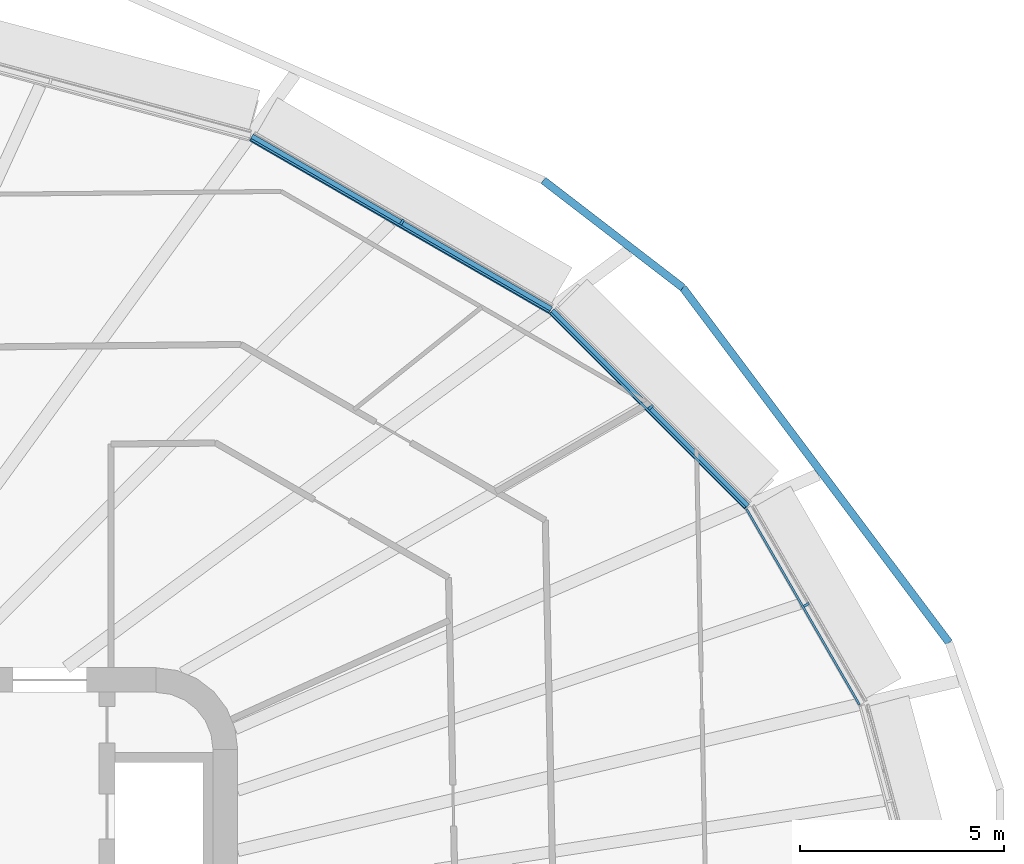
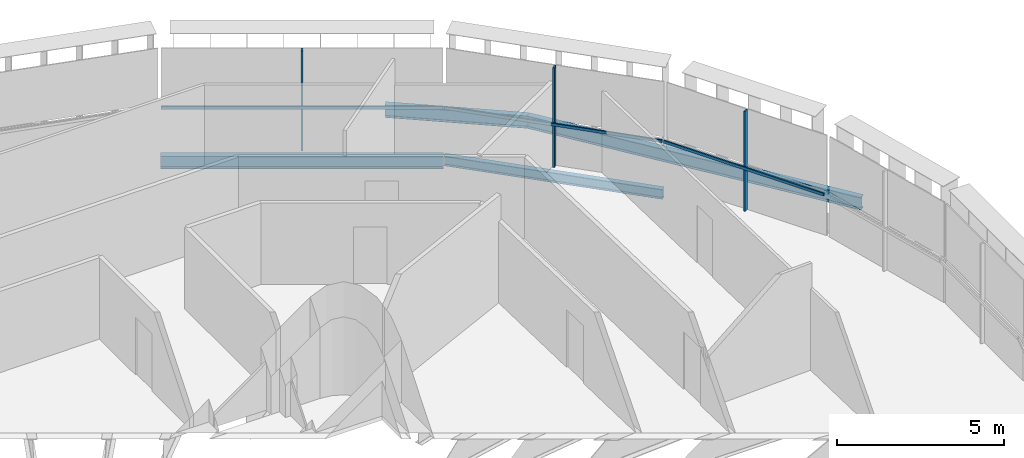
# One storey, part 10 of 26: 6 members, 4 beams, 3 elements without a shape of their own.
"""IFC4 building model written with IfcOpenShell, lengths in metres."""

from ifc_helpers import new_model, si_unit, direction, frame, origin, origin_2d, place, context, subcontext, project, spatial, rectangle, i_section, extrude, material, layer, layer_set, material_profile, profile_set, type_object, element, aggregate, save


model = new_model("IFC4")

# Units and contexts
model_context = context("Model", 3, precision=1e-05, world=origin(), true_north=direction((0.0, 1.0)))
body_context = subcontext(model_context, "Body", "Model", "MODEL_VIEW")
ifc_project = project(units=[si_unit("LENGTHUNIT", "METRE"), si_unit("AREAUNIT", "SQUARE_METRE"), si_unit("VOLUMEUNIT", "CUBIC_METRE"), si_unit("PLANEANGLEUNIT", "RADIAN"), si_unit("MASSUNIT", "GRAM", prefix="KILO")], contexts=[model_context])

# Site, building, storey
site_placement = place(None, origin())
site = spatial("IfcSite", under=ifc_project, at=site_placement, CompositionType="ELEMENT")
building_placement = place(site_placement, origin())
building = spatial("IfcBuilding", under=site, at=building_placement, Name="Sahrelin Media Tower", CompositionType="ELEMENT")
storey_placement = place(building_placement, frame((0.0, 0.0, 92.39990234375)))
storey = spatial("IfcBuildingStorey", under=building, at=storey_placement, Name="L17", CompositionType="ELEMENT", Elevation=92.39990234375)

# Beams
ifc_material_1 = material(Name="Steel S355", Category="steel")
ifc_material_profile_1 = material_profile(ifc_material_1, i_section(OverallWidth=0.17138671875, OverallDepth=0.35498046875, WebThickness=0.00732421875, FlangeThickness=0.011474609375, FilletRadius=0.01025390625, at=origin_2d()), Name="UB 356x171x51")
ifc_profile_set_1 = profile_set([ifc_material_profile_1], Name="Steel S355")
beam_type_1 = type_object("IfcBeamType", Name="Edge beam EB3", PredefinedType="BEAM", material=ifc_profile_set_1)
beam_1_placement = place(storey_placement, frame((22.689697265625, 16.739013671875, -0.327392578125), z_axis=(0.707106781187, -0.707106781187, 0.0), x_axis=(0.707106781187, 0.707106781187, 0.0)))
element("IfcBeam", 1, at=beam_1_placement, inside=storey, type_object=beam_type_1, Name="Edge beam L17-22", PredefinedType="BEAM", context=body_context, shape_type="SweptSolid", body=[
    extrude(i_section(OverallWidth=0.17138671875, OverallDepth=0.35498046875, WebThickness=0.00732421875, FlangeThickness=0.011474609375, FilletRadius=0.01025390625, at=origin_2d()), origin(), (0.0, 0.0, 1.0), 6.7783203125),
])
ifc_material_profile_2 = material_profile(ifc_material_1, i_section(OverallWidth=0.1904296875, OverallDepth=0.45703125, WebThickness=0.009033203125, FlangeThickness=0.014404296875, FilletRadius=0.01025390625, at=origin_2d()), Name="UB 457x191x74")
ifc_profile_set_2 = profile_set([ifc_material_profile_2], Name="Steel S355")
beam_type_2 = type_object("IfcBeamType", Name="Edge beam EB5", PredefinedType="BEAM", material=ifc_profile_set_2)
beam_2_placement = place(storey_placement, frame((15.3330078125, 20.99072265625, -0.37841796875), z_axis=(0.866025712585, -0.499999465141, 0.0), x_axis=(0.499999465141, 0.866025712585, 0.0)))
element("IfcBeam", 2, at=beam_2_placement, inside=storey, type_object=beam_type_2, Name="Edge beam L17-21", PredefinedType="BEAM", context=body_context, shape_type="SweptSolid", body=[
    extrude(i_section(OverallWidth=0.1904296875, OverallDepth=0.45703125, WebThickness=0.009033203125, FlangeThickness=0.014404296875, FilletRadius=0.01025390625, at=origin_2d()), origin(), (0.0, 0.0, 1.0), 8.46826171875),
])

# Curtain wall, member
ifc_material_2 = material(Name="Champagne anodised aluminium 6063-T6", Category="aluminium")
ifc_layer = layer(ifc_material_2, 0.14990234375)
ifc_layer_set = layer_set([ifc_layer], Name="Tower ribbon curtain wall")
curtain_wall_type = type_object("IfcCurtainWallType", Name="Tower ribbon curtain wall", PredefinedType="NOTDEFINED", material=ifc_layer_set)
curtain_wall_1_placement = place(storey_placement, frame((29.021484375, 9.58837890625, 0.0), z_axis=(0.0, 0.0, 1.0), x_axis=(1.0, 0.0, 0.0)))
curtain_wall_1 = element("IfcCurtainWall", 3, at=curtain_wall_1_placement, inside=storey, type_object=curtain_wall_type, Name="L17:CW:L17-02", PredefinedType="NOTDEFINED")
ifc_material_profile_3 = material_profile(ifc_material_2, rectangle(XDim=0.06005859375, YDim=0.14990234375, at=origin_2d()), Name="Mullion 60x150")
ifc_profile_set_3 = profile_set([ifc_material_profile_3], Name="Champagne anodised aluminium 6063-T6")
member_type_1 = type_object("IfcMemberType", Name="Mullion 60x150 CW1", PredefinedType="MULLION", material=ifc_profile_set_3)
member_1_placement = place(storey_placement, frame((28.939208984375, 9.540771484375, 0.0), z_axis=(0.0, 0.0, 1.0), x_axis=(-0.499990930976, 0.866030639725, 0.0)))
member_1 = element("IfcMember", 4, at=member_1_placement, type_object=member_type_1, Name="L17:CWM:L17-02", PredefinedType="MULLION", context=body_context, shape_type="SweptSolid", body=[
    extrude(rectangle(XDim=0.06005859375, YDim=0.14990234375, at=origin_2d()), origin(), (0.0, 0.0, 1.0), 3.648681640625),
])

curtain_wall_2_placement = place(storey_placement, frame((25.192138671875, 14.44873046875, 0.0), z_axis=(0.0, 0.0, 1.0), x_axis=(1.0, 0.0, 0.0)))
curtain_wall_2 = element("IfcCurtainWall", 5, at=curtain_wall_2_placement, inside=storey, type_object=curtain_wall_type, Name="L17:CW:L17-03", PredefinedType="NOTDEFINED")
member_2_placement = place(storey_placement, frame((25.125, 14.381591796875, 0.0), z_axis=(0.0, 0.0, 1.0), x_axis=(-0.707114185953, 0.707099376343, 0.0)))
member_2 = element("IfcMember", 6, at=member_2_placement, type_object=member_type_1, Name="L17:CWM:L17-03", PredefinedType="MULLION", context=body_context, shape_type="SweptSolid", body=[
    extrude(rectangle(XDim=0.06005859375, YDim=0.14990234375, at=origin_2d()), origin(), (0.0, 0.0, 1.0), 3.648681640625),
])

curtain_wall_3_placement = place(storey_placement, frame((19.074951171875, 19.003662109375, 0.0), z_axis=(0.0, 0.0, 1.0), x_axis=(1.0, 0.0, 0.0)))
curtain_wall_3 = element("IfcCurtainWall", 7, at=curtain_wall_3_placement, inside=storey, type_object=curtain_wall_type, Name="L17:CW:L17-04", PredefinedType="NOTDEFINED")
member_3_placement = place(storey_placement, frame((19.02734375, 18.92138671875, 0.0), z_axis=(0.0, 0.0, 1.0), x_axis=(-0.866022785779, 0.500004534492, 0.0)))
member_3 = element("IfcMember", 8, at=member_3_placement, type_object=member_type_1, Name="L17:CWM:L17-04", PredefinedType="MULLION", context=body_context, shape_type="SweptSolid", body=[
    extrude(rectangle(XDim=0.06005859375, YDim=0.14990234375, at=origin_2d()), origin(), (0.0, 0.0, 1.0), 3.648681640625),
])

# Beams
ifc_material_profile_4 = material_profile(ifc_material_1, i_section(OverallWidth=0.1904296875, OverallDepth=0.45703125, WebThickness=0.009033203125, FlangeThickness=0.014404296875, FilletRadius=0.01025390625, at=origin_2d()), Name="UB 457x191x74")
ifc_profile_set_4 = profile_set([ifc_material_profile_4], Name="Steel S355")
beam_type_3 = type_object("IfcBeamType", Name="Tie chord TC5", PredefinedType="BEAM", material=ifc_profile_set_4)
beam_3_placement = place(storey_placement, frame((32.43212890625, 8.614013671875, -0.37841796875), z_axis=(-0.600046705704, 0.799964968592, 0.0), x_axis=(-0.799964968592, -0.600046705704, 0.0)))
element("IfcBeam", 9, at=beam_3_placement, inside=storey, type_object=beam_type_3, Name="Tie chord L17-02", PredefinedType="BEAM", context=body_context, shape_type="SweptSolid", body=[
    extrude(i_section(OverallWidth=0.1904296875, OverallDepth=0.45703125, WebThickness=0.009033203125, FlangeThickness=0.014404296875, FilletRadius=0.01025390625, at=origin_2d()), origin(), (0.0, 0.0, 1.0), 10.872314453125),
])
beam_4_placement = place(storey_placement, frame((25.908203125, 17.3115234375, -0.37841796875), z_axis=(-0.792463992423, 0.609918700084, 0.0), x_axis=(-0.609918700084, -0.792463992423, 0.0)))
element("IfcBeam", 10, at=beam_4_placement, inside=storey, type_object=beam_type_3, Name="Tie chord L17-03", PredefinedType="BEAM", context=body_context, shape_type="SweptSolid", body=[
    extrude(i_section(OverallWidth=0.1904296875, OverallDepth=0.45703125, WebThickness=0.009033203125, FlangeThickness=0.014404296875, FilletRadius=0.01025390625, at=origin_2d()), origin(), (0.0, 0.0, 1.0), 4.311767578125),
])

# Member
ifc_material_profile_5 = material_profile(ifc_material_2, rectangle(XDim=0.050048828125, YDim=0.10009765625, at=origin_2d()), Name="Transom 50x100")
ifc_profile_set_5 = profile_set([ifc_material_profile_5], Name="Champagne anodised aluminium 6063-T6")
member_type_2 = type_object("IfcMemberType", Name="Transom 50x100 CW1", PredefinedType="USERDEFINED", material=ifc_profile_set_5)
member_4_placement = place(storey_placement, frame((30.236083984375, 7.094482421875, 1.60009765625), z_axis=(-0.500001219746, 0.866024699562, 0.0), x_axis=(-0.866024699562, -0.500001219746, 0.0)))
member_4 = element("IfcMember", 11, at=member_4_placement, type_object=member_type_2, Name="L17:CWT:L17-02", ObjectType="TRANSOM", PredefinedType="USERDEFINED", context=body_context, shape_type="SweptSolid", body=[
    extrude(rectangle(XDim=0.050048828125, YDim=0.10009765625, at=origin_2d()), origin(), (0.0, 0.0, 1.0), 5.5341796875),
])

aggregate(curtain_wall_1, [member_1, member_4])

member_5_placement = place(storey_placement, frame((27.439697265625, 11.92529296875, 1.60009765625), z_axis=(-0.707088688516, 0.707124873394, 0.0), x_axis=(-0.707124873394, -0.707088688516, 0.0)))
member_5 = element("IfcMember", 12, at=member_5_placement, type_object=member_type_2, Name="L17:CWT:L17-03", ObjectType="TRANSOM", PredefinedType="USERDEFINED", context=body_context, shape_type="SweptSolid", body=[
    extrude(rectangle(XDim=0.050048828125, YDim=0.10009765625, at=origin_2d()), origin(), (0.0, 0.0, 1.0), 6.7470703125),
])

aggregate(curtain_wall_2, [member_2, member_5])

member_6_placement = place(storey_placement, frame((22.630615234375, 16.7255859375, 1.60009765625), z_axis=(-0.866029933621, 0.499992154011, 0.0), x_axis=(-0.499992154011, -0.866029933621, 0.0)))
member_6 = element("IfcMember", 13, at=member_6_placement, type_object=member_type_2, Name="L17:CWT:L17-04", ObjectType="TRANSOM", PredefinedType="USERDEFINED", context=body_context, shape_type="SweptSolid", body=[
    extrude(rectangle(XDim=0.050048828125, YDim=0.10009765625, at=origin_2d()), origin(), (0.0, 0.0, 1.0), 8.436767578125),
])

aggregate(curtain_wall_3, [member_3, member_6])

save(model, "model.ifc")
